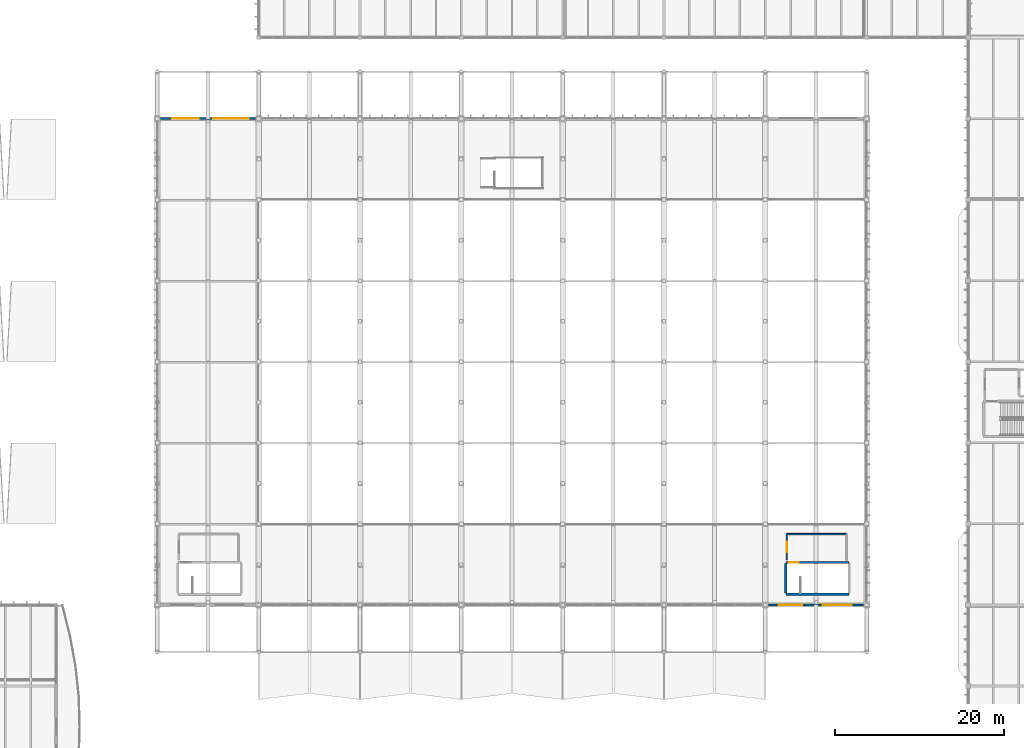
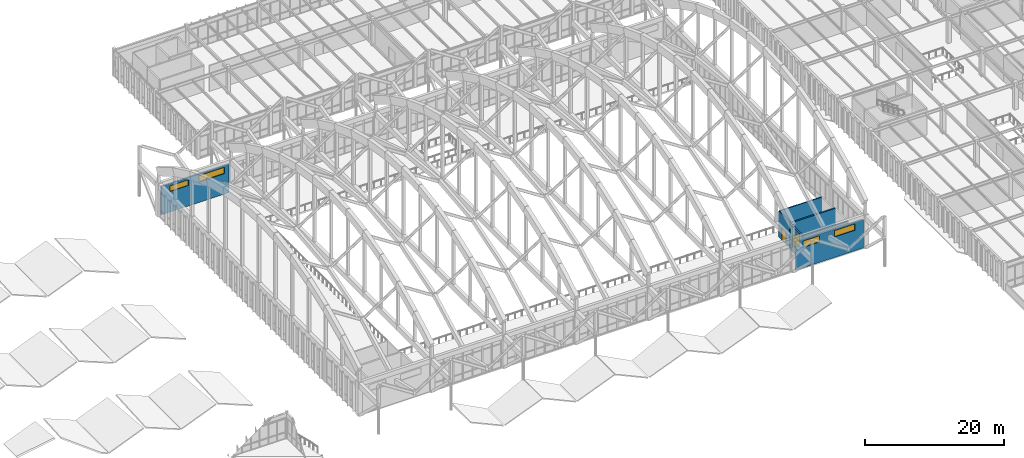
# One storey, part 220 of 236: 7 walls, 4 windows, 2 doors, 6 openings.
"""IFC4 building model written with IfcOpenShell, lengths in metres."""

from ifc_helpers import new_model, si_unit, direction, frame, frame_2d, origin, place, context, subcontext, project, spatial, rectangle, extrude, material, layer, layer_set, type_object, element, fill, save


model = new_model("IFC4")

# Units and contexts
model_context = context("Model", 3, precision=1e-05, world=origin(), true_north=direction((0.0, 1.0)))
body_context = subcontext(model_context, "Body", "Model", "MODEL_VIEW")
ifc_project = project(units=[si_unit("LENGTHUNIT", "METRE"), si_unit("AREAUNIT", "SQUARE_METRE"), si_unit("VOLUMEUNIT", "CUBIC_METRE"), si_unit("PLANEANGLEUNIT", "RADIAN"), si_unit("MASSUNIT", "GRAM", prefix="KILO")], contexts=[model_context])

# Site, building, storey
site_placement = place(None, origin())
site = spatial("IfcSite", under=ifc_project, at=site_placement, CompositionType="ELEMENT")
building_placement = place(site_placement, origin())
building = spatial("IfcBuilding", under=site, at=building_placement, Name="Pandanus Reach Market Hall", CompositionType="ELEMENT")
storey_placement = place(building_placement, frame((0.0, 0.0, 5.39990234375)))
storey = spatial("IfcBuildingStorey", under=building, at=storey_placement, Name="L01", CompositionType="ELEMENT", Elevation=5.39990234375)

# Wall
ifc_material_1 = material(Name="Concrete N40 (40 MPa)", Category="concrete")
ifc_layer_1 = layer(ifc_material_1, 0.25, Name="WL-CORE-250")
ifc_layer_set_1 = layer_set([ifc_layer_1], Name="Concrete N40 (40 MPa)")
wall_type_1 = type_object("IfcWallType", Name="WL-CORE-250", PredefinedType="SHEAR", material=ifc_layer_set_1)
wall_1_placement = place(storey_placement, frame((122.425048828125, 30.074951171875, 0.0), z_axis=(0.0, 0.0, 1.0), x_axis=(1.0, 0.0, 0.0)))
element("IfcWall", 1, at=wall_1_placement, inside=storey, type_object=wall_type_1, Name="Internal wall WL-CORE-250 WL-0441", PredefinedType="SHEAR", context=body_context, shape_type="SweptSolid", body=[
    extrude(rectangle(XDim=7.469970703125, YDim=0.25, at=frame_2d((3.73486328125, 0.0))), origin(), (0.0, 0.0, 1.0), 4.52001953125),
])

# Wall, opening, door
wall_2_placement = place(storey_placement, frame((122.425048828125, 33.824951171875, 0.0), z_axis=(0.0, 0.0, 1.0), x_axis=(1.0, 0.0, 0.0)))
wall_2 = element("IfcWall", 2, at=wall_2_placement, inside=storey, type_object=wall_type_1, Name="Internal wall WL-CORE-250 WL-0442", PredefinedType="SHEAR", context=body_context, shape_type="SweptSolid", body=[
    extrude(rectangle(XDim=7.469970703125, YDim=0.25, at=frame_2d((3.73486328125, 0.0))), origin(), (0.0, 0.0, 1.0), 4.52001953125),
])
opening_1_placement = place(wall_2_placement, frame((0.39990234375, 0.0, 0.0)))
opening_1 = element("IfcOpeningElement", 3, at=opening_1_placement, cuts=wall_2, Name="Opening DR-FD1", PredefinedType="OPENING", context=body_context, shape_type="SweptSolid", body=[
    extrude(rectangle(XDim=1.14990234375, YDim=2.14990234375, at=frame_2d((0.574951171875, 1.074951171875))), frame((0.0, 0.139892578125, 0.0), z_axis=(0.0, -1.0, 0.0), x_axis=(1.0, 0.0, 0.0)), (0.0, 0.0, 1.0), 0.280029296875),
])
ifc_material_2 = material(Name="Fire-rated steel door", Category="steel")
door_type_1 = type_object("IfcDoorType", Name="DR-FD1", OperationType="NOTDEFINED", PredefinedType="DOOR", material=ifc_material_2)
door_1_placement = place(opening_1_placement, frame((1.14990234375, 0.0, 0.0), z_axis=(0.0, 0.0, 1.0), x_axis=(-1.0, 0.0, 0.0)))
door_1 = element("IfcDoor", 4, at=door_1_placement, inside=storey, type_object=door_type_1, Name="Fire stair door ST-08 L01", OperationType="SINGLE_SWING_LEFT", OverallHeight=2.14990234375, OverallWidth=1.14990234375, PredefinedType="DOOR", context=body_context, shape_type="SweptSolid", body=[
    extrude(rectangle(XDim=1.14990234375, YDim=2.14990234375, at=frame_2d((0.574951171875, 1.074951171875))), frame((0.0, 0.02490234375, 0.0), z_axis=(0.0, -1.0, 0.0), x_axis=(1.0, 0.0, 0.0)), (0.0, 0.0, 1.0), 0.050048828125),
])
fill(opening_1, door_1)

# Wall
wall_3_placement = place(storey_placement, frame((122.425048828125, 30.199951171875, 0.0), z_axis=(0.0, 0.0, 1.0), x_axis=(0.0, 1.0, 0.0)))
element("IfcWall", 5, at=wall_3_placement, inside=storey, type_object=wall_type_1, Name="Internal wall WL-CORE-250 WL-0443", PredefinedType="SHEAR", context=body_context, shape_type="SweptSolid", body=[
    extrude(rectangle(XDim=3.5, YDim=0.25, at=frame_2d((1.75, 0.0))), origin(), (0.0, 0.0, 1.0), 4.52001953125),
])

# Wall, openings, windows
ifc_material_3 = material(Name="Precast concrete S50 (50 MPa)", Category="concrete")
ifc_layer_2 = layer(ifc_material_3, 0.239990234375, Name="WL-EXT-240")
ifc_layer_set_2 = layer_set([ifc_layer_2], Name="Precast concrete S50 (50 MPa)")
wall_type_2 = type_object("IfcWallType", Name="WL-EXT-240", PredefinedType="SOLIDWALL", material=ifc_layer_set_2)
wall_4_placement = place(storey_placement, frame((120.375, 28.800048828125, 0.0), z_axis=(0.0, 0.0, 1.0), x_axis=(1.0, 0.0, 0.0)))
wall_4 = element("IfcWall", 6, at=wall_4_placement, inside=storey, type_object=wall_type_2, Name="External wall WL-EXT-240 WL-0050", PredefinedType="SOLIDWALL", context=body_context, shape_type="SweptSolid", body=[
    extrude(rectangle(XDim=11.25, YDim=0.239990234375, at=frame_2d((5.625, 0.0))), origin(), (0.0, 0.0, 1.0), 4.99609375),
])
opening_2_placement = place(wall_4_placement, frame((1.199951171875, 0.0, 3.60009765625)))
opening_2 = element("IfcOpeningElement", 7, at=opening_2_placement, cuts=wall_4, Name="Opening LDM-01", PredefinedType="OPENING", context=body_context, shape_type="SweptSolid", body=[
    extrude(rectangle(XDim=2.800048828125, YDim=1.10009765625, at=frame_2d((1.39990234375, 0.550048828125))), frame((0.0, 0.135009765625, 0.0), z_axis=(0.0, -1.0, 0.0), x_axis=(1.0, 0.0, 0.0)), (0.0, 0.0, 1.0), 0.27001953125),
])
opening_3_placement = place(wall_4_placement, frame((6.449951171875, 0.0, 3.60009765625)))
opening_3 = element("IfcOpeningElement", 8, at=opening_3_placement, cuts=wall_4, Name="Opening LDM-02", PredefinedType="OPENING", context=body_context, shape_type="SweptSolid", body=[
    extrude(rectangle(XDim=3.39990234375, YDim=1.10009765625, at=frame_2d((1.699951171875, 0.550048828125))), frame((0.0, 0.135009765625, 0.0), z_axis=(0.0, -1.0, 0.0), x_axis=(1.0, 0.0, 0.0)), (0.0, 0.0, 1.0), 0.27001953125),
])
ifc_material_4 = material(Name="Solar-control double glazing", Category="glass")
window_type_1 = type_object("IfcWindowType", Name="LDM-01", PartitioningType="SINGLE_PANEL", PredefinedType="LIGHTDOME", material=ifc_material_4)
window_1_placement = place(opening_2_placement, origin())
window_1 = element("IfcWindow", 9, at=window_1_placement, inside=storey, type_object=window_type_1, Name="Window LDM-01 12", OverallHeight=1.10009765625, OverallWidth=2.800048828125, PartitioningType="SINGLE_PANEL", PredefinedType="LIGHTDOME", context=body_context, shape_type="SweptSolid", body=[
    extrude(rectangle(XDim=2.800048828125, YDim=1.10009765625, at=frame_2d((1.39990234375, 0.550048828125))), frame((0.0, 0.030029296875, 0.0), z_axis=(0.0, -1.0, 0.0), x_axis=(1.0, 0.0, 0.0)), (0.0, 0.0, 1.0), 0.06005859375),
])
fill(opening_2, window_1)
window_type_2 = type_object("IfcWindowType", Name="LDM-02", PartitioningType="SINGLE_PANEL", PredefinedType="LIGHTDOME", material=ifc_material_4)
window_2_placement = place(opening_3_placement, origin())
window_2 = element("IfcWindow", 10, at=window_2_placement, inside=storey, type_object=window_type_2, Name="Window LDM-02 13", OverallHeight=1.10009765625, OverallWidth=3.39990234375, PartitioningType="SINGLE_PANEL", PredefinedType="LIGHTDOME", context=body_context, shape_type="SweptSolid", body=[
    extrude(rectangle(XDim=3.39990234375, YDim=1.10009765625, at=frame_2d((1.699951171875, 0.550048828125))), frame((0.0, 0.030029296875, 0.0), z_axis=(0.0, -1.0, 0.0), x_axis=(1.0, 0.0, 0.0)), (0.0, 0.0, 1.0), 0.06005859375),
])
fill(opening_3, window_2)

wall_5_placement = place(storey_placement, frame((48.375, 86.39990234375, 0.0), z_axis=(0.0, 0.0, 1.0), x_axis=(1.0, 0.0, 0.0)))
wall_5 = element("IfcWall", 11, at=wall_5_placement, inside=storey, type_object=wall_type_2, Name="External wall WL-EXT-240 WL-0051", PredefinedType="SOLIDWALL", context=body_context, shape_type="SweptSolid", body=[
    extrude(rectangle(XDim=11.25, YDim=0.239990234375, at=frame_2d((5.625, 0.0))), origin(), (0.0, 0.0, 1.0), 4.99609375),
])
opening_4_placement = place(wall_5_placement, frame((1.39990234375, 0.0, 3.60009765625)))
opening_4 = element("IfcOpeningElement", 12, at=opening_4_placement, cuts=wall_5, Name="Opening LDM-04", PredefinedType="OPENING", context=body_context, shape_type="SweptSolid", body=[
    extrude(rectangle(XDim=3.10009765625, YDim=1.0, at=frame_2d((1.550048828125, 0.5))), frame((0.0, 0.135009765625, 0.0), z_axis=(0.0, -1.0, 0.0), x_axis=(1.0, 0.0, 0.0)), (0.0, 0.0, 1.0), 0.27001953125),
])
opening_5_placement = place(wall_5_placement, frame((6.25, 0.0, 3.60009765625)))
opening_5 = element("IfcOpeningElement", 13, at=opening_5_placement, cuts=wall_5, Name="Opening LDM-03", PredefinedType="OPENING", context=body_context, shape_type="SweptSolid", body=[
    extrude(rectangle(XDim=4.199951171875, YDim=1.10009765625, at=frame_2d((2.10009765625, 0.550048828125))), frame((0.0, 0.135009765625, 0.0), z_axis=(0.0, -1.0, 0.0), x_axis=(1.0, 0.0, 0.0)), (0.0, 0.0, 1.0), 0.27001953125),
])
window_type_3 = type_object("IfcWindowType", Name="LDM-03", PartitioningType="SINGLE_PANEL", PredefinedType="LIGHTDOME", material=ifc_material_4)
window_3_placement = place(opening_5_placement, origin())
window_3 = element("IfcWindow", 14, at=window_3_placement, inside=storey, type_object=window_type_3, Name="Window LDM-03 15", OverallHeight=1.10009765625, OverallWidth=4.199951171875, PartitioningType="SINGLE_PANEL", PredefinedType="LIGHTDOME", context=body_context, shape_type="SweptSolid", body=[
    extrude(rectangle(XDim=4.199951171875, YDim=1.10009765625, at=frame_2d((2.10009765625, 0.550048828125))), frame((0.0, 0.030029296875, 0.0), z_axis=(0.0, -1.0, 0.0), x_axis=(1.0, 0.0, 0.0)), (0.0, 0.0, 1.0), 0.06005859375),
])
fill(opening_5, window_3)
window_type_4 = type_object("IfcWindowType", Name="LDM-04", PartitioningType="SINGLE_PANEL", PredefinedType="LIGHTDOME", material=ifc_material_4)
window_4_placement = place(opening_4_placement, origin())
window_4 = element("IfcWindow", 15, at=window_4_placement, inside=storey, type_object=window_type_4, Name="Window LDM-04 14", OverallHeight=1.0, OverallWidth=3.10009765625, PartitioningType="SINGLE_PANEL", PredefinedType="LIGHTDOME", context=body_context, shape_type="SweptSolid", body=[
    extrude(rectangle(XDim=3.10009765625, YDim=1.0, at=frame_2d((1.550048828125, 0.5))), frame((0.0, 0.030029296875, 0.0), z_axis=(0.0, -1.0, 0.0), x_axis=(1.0, 0.0, 0.0)), (0.0, 0.0, 1.0), 0.06005859375),
])
fill(opening_4, window_4)

# Wall, opening, door
ifc_layer_3 = layer(ifc_material_1, 0.175048828125, Name="WL-LOB-175")
ifc_layer_set_3 = layer_set([ifc_layer_3], Name="Concrete N40 (40 MPa)")
wall_type_3 = type_object("IfcWallType", Name="WL-LOB-175", PredefinedType="PARTITIONING", material=ifc_layer_set_3)
wall_6_placement = place(storey_placement, frame((122.550048828125, 34.10009765625, 0.0), z_axis=(0.0, 0.0, 1.0), x_axis=(0.0, 1.0, 0.0)))
wall_6 = element("IfcWall", 16, at=wall_6_placement, inside=storey, type_object=wall_type_3, Name="Internal wall WL-LOB-175 WL-0445", PredefinedType="PARTITIONING", context=body_context, shape_type="SweptSolid", body=[
    extrude(rectangle(XDim=3.099853515625, YDim=0.175048828125, at=frame_2d((1.5498046875, 0.0))), origin(), (0.0, 0.0, 1.0), 4.52001953125),
])
opening_6_placement = place(wall_6_placement, frame((0.925048828125, 0.0, 0.0)))
opening_6 = element("IfcOpeningElement", 17, at=opening_6_placement, cuts=wall_6, Name="Opening DR-FD2", PredefinedType="OPENING", context=body_context, shape_type="SweptSolid", body=[
    extrude(rectangle(XDim=1.25, YDim=2.199951171875, at=frame_2d((0.625, 1.10009765625))), frame((0.0, 0.1025390625, 0.0), z_axis=(0.0, -1.0, 0.0), x_axis=(1.0, 0.0, 0.0)), (0.0, 0.0, 1.0), 0.205078125),
])
door_type_2 = type_object("IfcDoorType", Name="DR-FD2", OperationType="NOTDEFINED", PredefinedType="DOOR", material=ifc_material_2)
door_2_placement = place(opening_6_placement, frame((1.25, 0.0, 0.0), z_axis=(0.0, 0.0, 1.0), x_axis=(-1.0, 0.0, 0.0)))
door_2 = element("IfcDoor", 18, at=door_2_placement, inside=storey, type_object=door_type_2, Name="Core C8 lobby fire door DR-FD2 90", OperationType="SINGLE_SWING_LEFT", OverallHeight=2.199951171875, OverallWidth=1.25, PredefinedType="DOOR", context=body_context, shape_type="SweptSolid", body=[
    extrude(rectangle(XDim=1.25, YDim=2.199951171875, at=frame_2d((0.625, 1.10009765625))), frame((0.0, 0.02490234375, 0.0), z_axis=(0.0, -1.0, 0.0), x_axis=(1.0, 0.0, 0.0)), (0.0, 0.0, 1.0), 0.050048828125),
])
fill(opening_6, door_2)

# Wall
wall_7_placement = place(storey_placement, frame((122.550048828125, 37.199951171875, 0.0), z_axis=(0.0, 0.0, 1.0), x_axis=(1.0, 0.0, 0.0)))
element("IfcWall", 19, at=wall_7_placement, inside=storey, type_object=wall_type_3, Name="Internal wall WL-LOB-175 WL-0446", PredefinedType="PARTITIONING", context=body_context, shape_type="SweptSolid", body=[
    extrude(rectangle(XDim=7.050048828125, YDim=0.175048828125, at=frame_2d((3.52490234375, 0.0))), origin(), (0.0, 0.0, 1.0), 4.52001953125),
])

save(model, "model.ifc")
